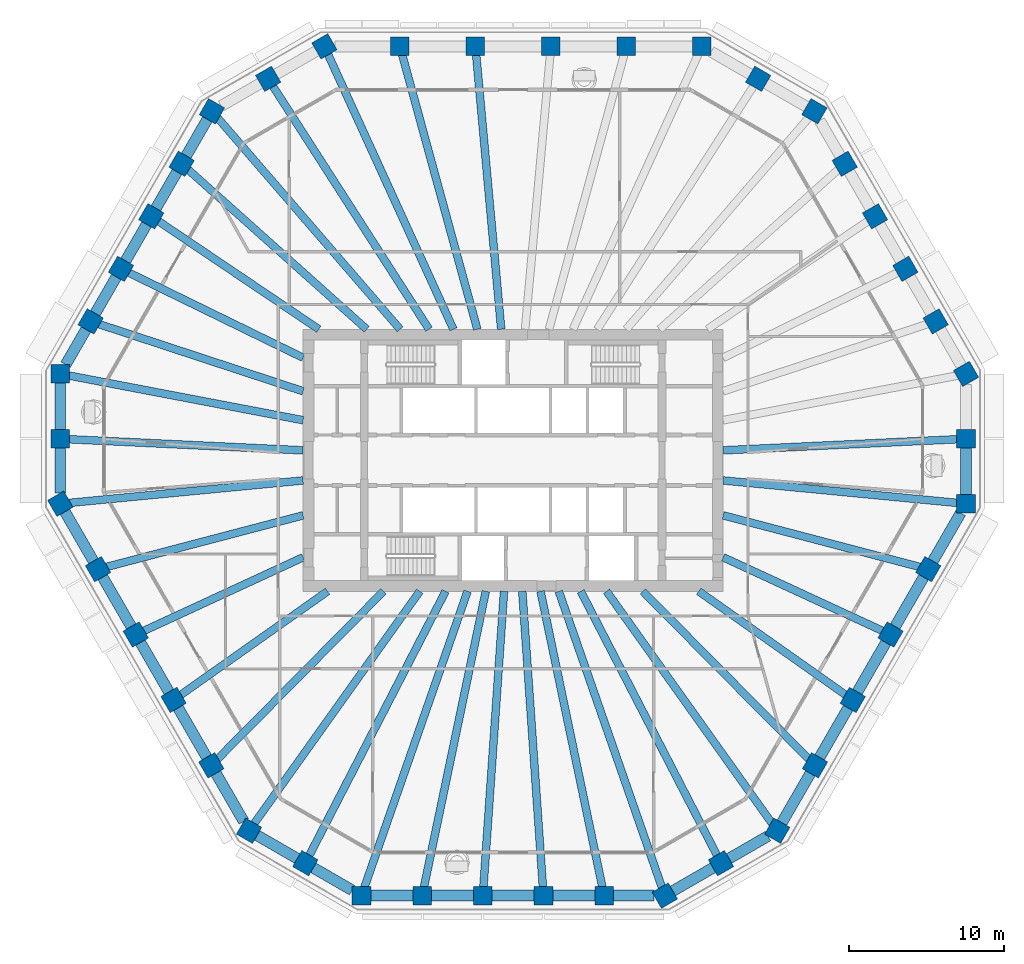
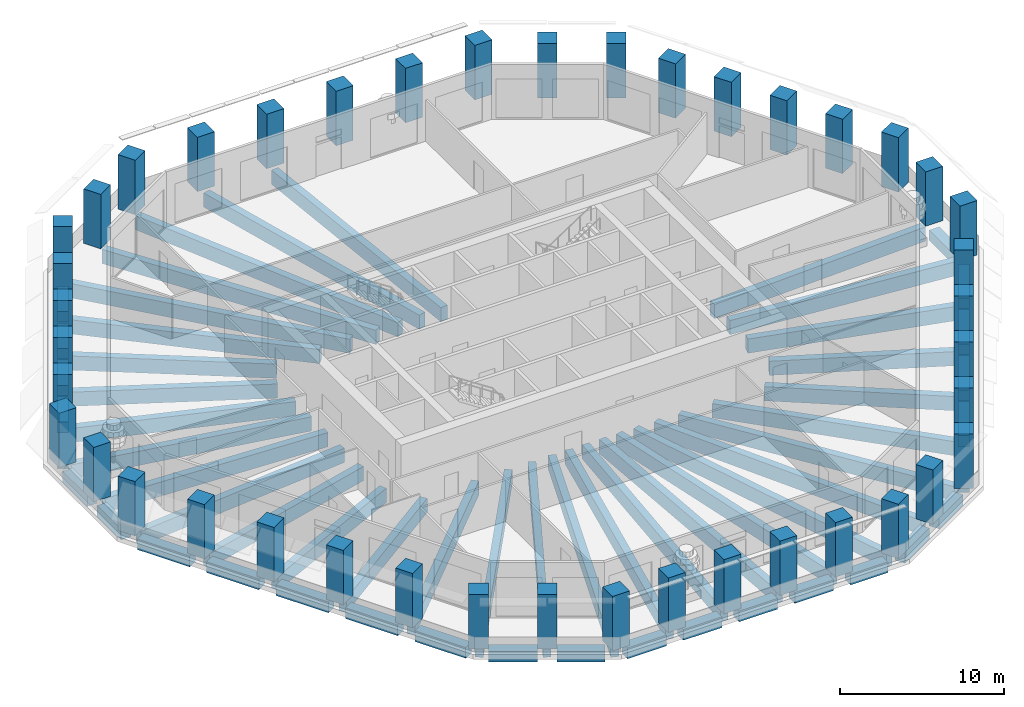
# One storey, part 1 of 12: 59 beams, 42 columns.
"""IFC4 building model written with IfcOpenShell, lengths in metres."""

import ifcopenshell
import ifcopenshell.guid

model = None  # the IFC model being written
_history = None  # IfcOwnerHistory: only IFC2X3 demands one
_inside = {}  # id of a spatial element -> (the spatial element, [elements in it])
_under = {}  # id of a project, library or spatial element -> (it, [spatial elements below it])
_declared = {}  # id of a project -> (the project, [libraries it declares])
_typed = {}  # id of a type object -> (the type object, [elements of that type])
_made_of = {}  # id of a material, layer set ... -> (it, [elements and type objects made of it])


def new_model(schema):
    """Start an empty IFC model of exactly this schema.

    Asked for "IFC4X3", IfcOpenShell would pick the latest addendum, in which some entities
    have other attributes; the version numbers below select the first issue.
    IFC2X3 requires an IfcOwnerHistory on every rooted entity: one is made here for all.
    """
    global model, _history
    if schema == "IFC4X3":
        model = ifcopenshell.file(schema_version=(4, 3, 0, 0))
    else:
        model = ifcopenshell.file(schema=schema)
    _inside.clear()
    _under.clear()
    _declared.clear()
    _typed.clear()
    _made_of.clear()
    _history = None
    if model.schema == "IFC2X3":
        org = make("IfcOrganization", Name="unknown")
        user = make(
            "IfcPersonAndOrganization",
            ThePerson=make("IfcPerson", FamilyName="unknown"),
            TheOrganization=org,
        )
        app = make(
            "IfcApplication",
            ApplicationDeveloper=org,
            Version="unknown",
            ApplicationFullName="unknown",
            ApplicationIdentifier="unknown",
        )
        _history = make(
            "IfcOwnerHistory",
            OwningUser=user,
            OwningApplication=app,
            ChangeAction="ADDED",
            CreationDate=0,
        )
    return model


def make(cls, **values):
    """One entity of the class cls with the attributes given. An attribute that is None is left unset."""
    return model.create_entity(
        cls, **{name: value for name, value in values.items() if value is not None}
    )


def rooted(cls, **values):
    """An entity with a GlobalId (a new one), such as an element, a storey or a relation."""
    return make(cls, GlobalId=ifcopenshell.guid.new(), OwnerHistory=_history, **values)


def si_unit(unit_type, name, prefix=None):
    """IfcSIUnit, for example si_unit("LENGTHUNIT", "METRE", prefix="MILLI")."""
    return make("IfcSIUnit", UnitType=unit_type, Prefix=prefix, Name=name)


def assignment(units):
    """IfcUnitAssignment: the units of a project."""
    return None if units is None else make("IfcUnitAssignment", Units=units)


def point(xyz):
    """IfcCartesianPoint."""
    return None if xyz is None else make("IfcCartesianPoint", Coordinates=xyz)


def direction(xyz):
    """IfcDirection."""
    return None if xyz is None else make("IfcDirection", DirectionRatios=xyz)


def frame(location, z_axis=None, x_axis=None):
    """IfcAxis2Placement3D, a coordinate frame: its origin and axes. An axis left out is left unset."""
    return make(
        "IfcAxis2Placement3D",
        Location=point(location),
        Axis=direction(z_axis),
        RefDirection=direction(x_axis),
    )


def frame_2d(location, x_axis=None):
    """IfcAxis2Placement2D, a coordinate frame in the plane: its origin and x axis."""
    return make(
        "IfcAxis2Placement2D", Location=point(location), RefDirection=direction(x_axis)
    )


def origin():
    """The frame at (0, 0, 0) with its axes left unset."""
    return frame((0.0, 0.0, 0.0))


def origin_2d():
    """The frame at (0, 0) in the plane with its x axis left unset."""
    return frame_2d((0.0, 0.0))


def place(relative_to, where):
    """IfcLocalPlacement: puts the frame where relative to a parent placement (None: the world)."""
    return make(
        "IfcLocalPlacement", PlacementRelTo=relative_to, RelativePlacement=where
    )


def context(
    kind, dimensions, precision=None, world=None, true_north=None, identifier=None
):
    """IfcGeometricRepresentationContext, for example the 3D "Model" context."""
    return make(
        "IfcGeometricRepresentationContext",
        ContextIdentifier=identifier,
        ContextType=kind,
        CoordinateSpaceDimension=dimensions,
        Precision=precision,
        WorldCoordinateSystem=world,
        TrueNorth=true_north,
    )


def subcontext(parent, identifier, kind, view, scale=None):
    """IfcGeometricRepresentationSubContext, for example "Body" below "Model"."""
    return make(
        "IfcGeometricRepresentationSubContext",
        ContextIdentifier=identifier,
        ContextType=kind,
        ParentContext=parent,
        TargetScale=scale,
        TargetView=view,
    )


def project(units=None, contexts=None):
    """IfcProject with its units and contexts."""
    return rooted(
        "IfcProject",
        Name="project",
        RepresentationContexts=contexts,
        UnitsInContext=assignment(units),
    )


def spatial(cls, under=None, at=None, **own):
    """A site, building, storey or space (cls), placed at a placement, below another one or the project."""
    s = rooted(cls, ObjectPlacement=at, **own)
    if under is not None:
        _under.setdefault(under.id(), (under, []))[1].append(s)
    return s


def profile(cls, at=None, kind="AREA", **sizes):
    """A parametric profile (cls). Its sizes go by their IFC names, for example OverallWidth=200.0."""
    return make(cls, ProfileType=kind, Position=at, **sizes)


def rectangle(**sizes):
    """IfcRectangleProfileDef."""
    return profile("IfcRectangleProfileDef", **sizes)


def extrude(swept, where, along, depth):
    """IfcExtrudedAreaSolid: the profile swept, set in the frame where, extruded along a direction by depth."""
    return make(
        "IfcExtrudedAreaSolid",
        SweptArea=swept,
        Position=where,
        ExtrudedDirection=direction(along),
        Depth=depth,
    )


def shape(context_of_items, identifier, shape_type, items):
    """IfcShapeRepresentation: the items that make up one representation, for example the "Body"."""
    return make(
        "IfcShapeRepresentation",
        ContextOfItems=context_of_items,
        RepresentationIdentifier=identifier,
        RepresentationType=shape_type,
        Items=items,
    )


def material(Name=None, Category=None):
    """IfcMaterial."""
    return make("IfcMaterial", Name=Name, Category=Category)


def material_profile(
    of_material, cross_section, Name=None, Category=None, Priority=None
):
    """IfcMaterialProfile: a cross section and its material."""
    return make(
        "IfcMaterialProfile",
        Name=Name,
        Material=of_material,
        Profile=cross_section,
        Priority=Priority,
        Category=Category,
    )


def profile_set(profiles, Name=None, composite=None):
    """IfcMaterialProfileSet."""
    return make(
        "IfcMaterialProfileSet",
        Name=Name,
        MaterialProfiles=profiles,
        CompositeProfile=composite,
    )


def made_of(thing, what):
    """Note that an element or type object is made of a material, layer set ...; save() writes the relation."""
    if what is not None:
        _made_of.setdefault(what.id(), (what, []))[1].append(thing)
    return thing


def type_object(cls, material=None, **own):
    """A type object (cls), such as IfcWallType, which elements share."""
    return made_of(rooted(cls, **own), material)


def element(
    cls,
    number,
    at=None,
    inside=None,
    cuts=None,
    type_object=None,
    material=None,
    context=None,
    identifier="Body",
    shape_type=None,
    held_by="IfcProductDefinitionShape",
    body=None,
    shapes=None,
    **own,
):
    """One element of the class cls, such as IfcWall. Its Tag is "e" and its number.

    at: its placement. inside: the storey or other place that contains it. cuts: it is an
    opening in that element (IfcRelVoidsElement). A single representation is given by context,
    identifier, shape_type and body (its items); several are given by shapes. held_by: the class
    of the entity that holds the representations. save() writes the other relations.
    """
    e = rooted(cls, Tag="e%d" % number, ObjectPlacement=at, **own)
    if body is not None:
        shapes = [shape(context, identifier, shape_type, body)]
    if shapes is not None:
        e.Representation = make(held_by, Representations=shapes)
    if inside is not None:
        _inside.setdefault(inside.id(), (inside, []))[1].append(e)
    if cuts is not None:
        rooted(
            "IfcRelVoidsElement", RelatingBuildingElement=cuts, RelatedOpeningElement=e
        )
    if type_object is not None:
        _typed.setdefault(type_object.id(), (type_object, []))[1].append(e)
    return made_of(e, material)


def aggregate(whole, parts):
    """IfcRelAggregates: a whole, such as a stair, and the parts it consists of."""
    return rooted("IfcRelAggregates", RelatingObject=whole, RelatedObjects=parts)


def save(model, path):
    """Write the relations noted so far, then the file.

    IfcRelAggregates (storeys below a building ...), IfcRelContainedInSpatialStructure (elements
    in a storey), IfcRelDefinesByType, IfcRelAssociatesMaterial and IfcRelDeclares: one each for
    every whole, place, type object, material and project.
    """
    for whole, parts in _under.values():
        aggregate(whole, parts)
    for where, things in _inside.values():
        rooted(
            "IfcRelContainedInSpatialStructure",
            RelatedElements=things,
            RelatingStructure=where,
        )
    for kind, things in _typed.values():
        rooted("IfcRelDefinesByType", RelatedObjects=things, RelatingType=kind)
    for what, things in _made_of.values():
        rooted("IfcRelAssociatesMaterial", RelatedObjects=things, RelatingMaterial=what)
    for by, libraries in _declared.values():
        rooted("IfcRelDeclares", RelatingContext=by, RelatedDefinitions=libraries)
    model.write(path)


model = new_model("IFC4")

# Units and contexts
model_context = context("Model", 3, precision=1e-05, world=origin(), true_north=direction((0.0, 1.0)))
body_context = subcontext(model_context, "Body", "Model", "MODEL_VIEW")
ifc_project = project(units=[si_unit("LENGTHUNIT", "METRE"), si_unit("AREAUNIT", "SQUARE_METRE"), si_unit("VOLUMEUNIT", "CUBIC_METRE"), si_unit("PLANEANGLEUNIT", "RADIAN"), si_unit("MASSUNIT", "GRAM", prefix="KILO")], contexts=[model_context])

# Site, building, storey
site_placement = place(None, origin())
site = spatial("IfcSite", under=ifc_project, at=site_placement, CompositionType="ELEMENT")
building_placement = place(site_placement, origin())
building = spatial("IfcBuilding", under=site, at=building_placement, Name="Frailejon Research Tower", CompositionType="ELEMENT")
storey_placement = place(building_placement, frame((0.0, 0.0, 193.60009765625)))
storey = spatial("IfcBuildingStorey", under=building, at=storey_placement, Name="L42", CompositionType="ELEMENT", Elevation=193.60009765625)

# Columns
ifc_material_1 = material(Name="Concrete C60/75", Category="concrete")
ifc_material_profile_1 = material_profile(ifc_material_1, rectangle(XDim=1.199951171875, YDim=1.199951171875, at=origin_2d()), Name="Column 1200")
ifc_profile_set_1 = profile_set([ifc_material_profile_1], Name="Concrete C60/75")
column_type = type_object("IfcColumnType", Name="Column 1200", PredefinedType="COLUMN", material=ifc_profile_set_1)
for number, where, z_axis, x_axis, name in (
    (1, (29.211181640625, -2.8046875, 0.0), (0.0, 0.0, 1.0), (0.0, 1.0, 0.0), "Column C01"),
    (2, (29.211181640625, 1.3828125, 0.0), (0.0, 0.0, 1.0), (0.0, 1.0, 0.0), "Column C02"),
    (3, (29.211181640625, 5.5703125, 0.0), (0.0, 0.0, 1.0), (-0.5, 0.866025403784, 0.0), "Column C03"),
    (4, (27.2548828125, 8.958740234375, 0.0), (0.0, 0.0, 1.0), (-0.5, 0.866025403784, 0.0), "Column C04"),
    (5, (25.298583984375, 12.34716796875, 0.0), (0.0, 0.0, 1.0), (-0.5, 0.866025403784, 0.0), "Column C05"),
    (6, (23.34228515625, 15.735595703125, 0.0), (0.0, 0.0, 1.0), (-0.5, 0.866025403784, 0.0), "Column C06"),
    (7, (21.385986328125, 19.1240234375, 0.0), (0.0, 0.0, 1.0), (-0.5, 0.866025403784, 0.0), "Column C07"),
    (8, (19.4296875, 22.512451171875, 0.0), (0.0, 0.0, 1.0), (-0.866025403784, 0.5, 0.0), "Column C08"),
    (9, (15.802978515625, 24.606201171875, 0.0), (0.0, 0.0, 1.0), (-0.866025403784, 0.5, 0.0), "Column C09"),
    (10, (12.176513671875, 26.699951171875, 0.0), (0.0, 0.0, 1.0), (-1.0, 0.0, 0.0), "Column C10"),
    (11, (7.305908203125, 26.699951171875, 0.0), (0.0, 0.0, 1.0), (-1.0, 0.0, 0.0), "Column C11"),
):
    element("IfcColumn", number, at=place(storey_placement, frame(where, z_axis=z_axis, x_axis=x_axis)), inside=storey, type_object=column_type, Name=name, PredefinedType="COLUMN", context=body_context, shape_type="SweptSolid", body=[
        extrude(rectangle(XDim=1.199951171875, YDim=1.199951171875, at=origin_2d()), origin(), (0.0, 0.0, 1.0), 4.039794921875),
    ])
for number, where, z_axis, x_axis, name in (
    (12, (2.435302734375, 26.699951171875, 0.0), (0.0, 0.0, 1.0), (-1.0, 0.0, 0.0), "Column C12"),
    (13, (-2.435302734375, 26.699951171875, 0.0), (0.0, 0.0, 1.0), (-1.0, 0.0, 0.0), "Column C13"),
):
    element("IfcColumn", number, at=place(storey_placement, frame(where, z_axis=z_axis, x_axis=x_axis)), inside=storey, type_object=column_type, Name=name, PredefinedType="COLUMN", context=body_context, shape_type="SweptSolid", body=[
        extrude(rectangle(XDim=1.199951171875, YDim=1.199951171875, at=origin_2d()), origin(), (0.0, 0.0, 1.0), 4.0498046875),
    ])
for number, where, z_axis, x_axis, name in (
    (14, (-7.305908203125, 26.699951171875, 0.0), (0.0, 0.0, 1.0), (-1.0, 0.0, 0.0), "Column C14"),
    (15, (-12.176513671875, 26.699951171875, 0.0), (0.0, 0.0, 1.0), (-0.866025403784, -0.5, 0.0), "Column C15"),
    (16, (-15.802978515625, 24.606201171875, 0.0), (0.0, 0.0, 1.0), (-0.866025403784, -0.5, 0.0), "Column C16"),
    (17, (-19.4296875, 22.512451171875, 0.0), (0.0, 0.0, 1.0), (-0.5, -0.866025403784, 0.0), "Column C17"),
    (18, (-21.385986328125, 19.1240234375, 0.0), (0.0, 0.0, 1.0), (-0.5, -0.866025403784, 0.0), "Column C18"),
    (19, (-23.34228515625, 15.735595703125, 0.0), (0.0, 0.0, 1.0), (-0.5, -0.866025403784, 0.0), "Column C19"),
    (20, (-25.298583984375, 12.34716796875, 0.0), (0.0, 0.0, 1.0), (-0.5, -0.866025403784, 0.0), "Column C20"),
    (21, (-27.2548828125, 8.958740234375, 0.0), (0.0, 0.0, 1.0), (-0.5, -0.866025403784, 0.0), "Column C21"),
    (22, (-29.211181640625, 5.5703125, 0.0), (0.0, 0.0, 1.0), (0.0, -1.0, 0.0), "Column C22"),
    (23, (-29.211181640625, 1.3828125, 0.0), (0.0, 0.0, 1.0), (0.0, -1.0, 0.0), "Column C23"),
    (24, (-29.211181640625, -2.8046875, 0.0), (0.0, 0.0, 1.0), (0.5, -0.866025403784, 0.0), "Column C24"),
    (25, (-26.77587890625, -7.02294921875, 0.0), (0.0, 0.0, 1.0), (0.5, -0.866025403784, 0.0), "Column C25"),
):
    element("IfcColumn", number, at=place(storey_placement, frame(where, z_axis=z_axis, x_axis=x_axis)), inside=storey, type_object=column_type, Name=name, PredefinedType="COLUMN", context=body_context, shape_type="SweptSolid", body=[
        extrude(rectangle(XDim=1.199951171875, YDim=1.199951171875, at=origin_2d()), origin(), (0.0, 0.0, 1.0), 4.039794921875),
    ])
for number, where, z_axis, x_axis, name in (
    (26, (-24.340576171875, -11.240966796875, 0.0), (0.0, 0.0, 1.0), (0.5, -0.866025403784, 0.0), "Column C26"),
    (27, (-21.9052734375, -15.458984375, 0.0), (0.0, 0.0, 1.0), (0.5, -0.866025403784, 0.0), "Column C27"),
):
    element("IfcColumn", number, at=place(storey_placement, frame(where, z_axis=z_axis, x_axis=x_axis)), inside=storey, type_object=column_type, Name=name, PredefinedType="COLUMN", context=body_context, shape_type="SweptSolid", body=[
        extrude(rectangle(XDim=1.199951171875, YDim=1.199951171875, at=origin_2d()), origin(), (0.0, 0.0, 1.0), 4.0498046875),
    ])
for number, where, z_axis, x_axis, name in (
    (28, (-19.469970703125, -19.677001953125, 0.0), (0.0, 0.0, 1.0), (0.5, -0.866025403784, 0.0), "Column C28"),
    (29, (-17.03466796875, -23.895263671875, 0.0), (0.0, 0.0, 1.0), (0.866025403784, -0.5, 0.0), "Column C29"),
    (30, (-13.408203125, -25.989013671875, 0.0), (0.0, 0.0, 1.0), (0.866025403784, -0.5, 0.0), "Column C30"),
    (31, (-9.781494140625, -28.082763671875, 0.0), (0.0, 0.0, 1.0), (1.0, 0.0, 0.0), "Column C31"),
    (32, (-5.868896484375, -28.082763671875, 0.0), (0.0, 0.0, 1.0), (1.0, 0.0, 0.0), "Column C32"),
    (33, (-1.956298828125, -28.082763671875, 0.0), (0.0, 0.0, 1.0), (1.0, 0.0, 0.0), "Column C33"),
    (34, (1.956298828125, -28.082763671875, 0.0), (0.0, 0.0, 1.0), (1.0, 0.0, 0.0), "Column C34"),
    (35, (5.868896484375, -28.082763671875, 0.0), (0.0, 0.0, 1.0), (1.0, 0.0, 0.0), "Column C35"),
    (36, (9.781494140625, -28.082763671875, 0.0), (0.0, 0.0, 1.0), (0.866025403784, 0.5, 0.0), "Column C36"),
    (37, (13.408203125, -25.989013671875, 0.0), (0.0, 0.0, 1.0), (0.866025403784, 0.5, 0.0), "Column C37"),
    (38, (17.03466796875, -23.895263671875, 0.0), (0.0, 0.0, 1.0), (0.5, 0.866025403784, 0.0), "Column C38"),
    (39, (19.469970703125, -19.677001953125, 0.0), (0.0, 0.0, 1.0), (0.5, 0.866025403784, 0.0), "Column C39"),
):
    element("IfcColumn", number, at=place(storey_placement, frame(where, z_axis=z_axis, x_axis=x_axis)), inside=storey, type_object=column_type, Name=name, PredefinedType="COLUMN", context=body_context, shape_type="SweptSolid", body=[
        extrude(rectangle(XDim=1.199951171875, YDim=1.199951171875, at=origin_2d()), origin(), (0.0, 0.0, 1.0), 4.039794921875),
    ])
for number, where, z_axis, x_axis, name in (
    (40, (21.9052734375, -15.458984375, 0.0), (0.0, 0.0, 1.0), (0.5, 0.866025403784, 0.0), "Column C40"),
    (41, (24.340576171875, -11.240966796875, 0.0), (0.0, 0.0, 1.0), (0.5, 0.866025403784, 0.0), "Column C41"),
):
    element("IfcColumn", number, at=place(storey_placement, frame(where, z_axis=z_axis, x_axis=x_axis)), inside=storey, type_object=column_type, Name=name, PredefinedType="COLUMN", context=body_context, shape_type="SweptSolid", body=[
        extrude(rectangle(XDim=1.199951171875, YDim=1.199951171875, at=origin_2d()), origin(), (0.0, 0.0, 1.0), 4.0498046875),
    ])
column_placement = place(storey_placement, frame((26.77587890625, -7.02294921875, 0.0), z_axis=(0.0, 0.0, 1.0), x_axis=(0.5, 0.866025403784, 0.0)))
element("IfcColumn", 42, at=column_placement, inside=storey, type_object=column_type, Name="Column C42", PredefinedType="COLUMN", context=body_context, shape_type="SweptSolid", body=[
    extrude(rectangle(XDim=1.199951171875, YDim=1.199951171875, at=origin_2d()), origin(), (0.0, 0.0, 1.0), 4.039794921875),
])

# Beams
ifc_material_2 = material(Name="Concrete C60/75", Category="concrete")
ifc_material_profile_2 = material_profile(ifc_material_2, rectangle(XDim=0.5, YDim=1.050048828125, at=origin_2d()), Name="Girder 500x1050")
ifc_profile_set_2 = profile_set([ifc_material_profile_2], Name="Concrete C60/75")
beam_type_1 = type_object("IfcBeamType", Name="Girder 500x1050", PredefinedType="BEAM", material=ifc_profile_set_2)
beam_1_placement = place(storey_placement, frame((28.760498046875, -2.761474609375, -0.8251953125), z_axis=(-0.995422075733, 0.095576624459, 0.0), x_axis=(-0.095576624459, -0.995422075733, 0.0)))
element("IfcBeam", 43, at=beam_1_placement, inside=storey, type_object=beam_type_1, Name="Girder 500x1050", PredefinedType="BEAM", context=body_context, shape_type="SweptSolid", body=[
    extrude(rectangle(XDim=0.5, YDim=1.050048828125, at=origin_2d()), origin(), (0.0, 0.0, 1.0), 15.280517578125),
])
beam_2_placement = place(storey_placement, frame((28.760986328125, 1.361572265625, -0.8251953125), z_axis=(-0.998880941735, -0.047295499135, 0.0), x_axis=(0.047295499135, -0.998880941735, 0.0)))
element("IfcBeam", 44, at=beam_2_placement, inside=storey, type_object=beam_type_1, Name="Girder 500x1050", PredefinedType="BEAM", context=body_context, shape_type="SweptSolid", body=[
    extrude(rectangle(XDim=0.5, YDim=1.050048828125, at=origin_2d()), origin(), (0.0, 0.0, 1.0), 15.22802734375),
])
beam_3_placement = place(storey_placement, frame((-2.394287109375, 26.24951171875, -0.8251953125), z_axis=(0.090835017193, -0.99586595466, 0.0), x_axis=(0.99586595466, 0.090835017193, 0.0)))
element("IfcBeam", 45, at=beam_3_placement, inside=storey, type_object=beam_type_1, Name="Girder 500x1050", PredefinedType="BEAM", context=body_context, shape_type="SweptSolid", body=[
    extrude(rectangle(XDim=0.5, YDim=1.050048828125, at=origin_2d()), origin(), (0.0, 0.0, 1.0), 17.87353515625),
])
beam_4_placement = place(storey_placement, frame((-7.181396484375, 26.24462890625, -0.8251953125), z_axis=(0.26392689173, -0.964542687402, 0.0), x_axis=(0.964542687402, 0.26392689173, 0.0)))
element("IfcBeam", 46, at=beam_4_placement, inside=storey, type_object=beam_type_1, Name="Girder 500x1050", PredefinedType="BEAM", context=body_context, shape_type="SweptSolid", body=[
    extrude(rectangle(XDim=0.5, YDim=1.050048828125, at=origin_2d()), origin(), (0.0, 0.0, 1.0), 18.44873046875),
])
beam_5_placement = place(storey_placement, frame((-11.988525390625, 26.2880859375, -0.8251953125), z_axis=(0.414934108242, -0.909851463602, 0.0), x_axis=(0.909851463602, 0.414934108242, 0.0)))
element("IfcBeam", 47, at=beam_5_placement, inside=storey, type_object=beam_type_1, Name="Girder 500x1050", PredefinedType="BEAM", context=body_context, shape_type="SweptSolid", body=[
    extrude(rectangle(XDim=0.5, YDim=1.050048828125, at=origin_2d()), origin(), (0.0, 0.0, 1.0), 19.60546875),
])
beam_6_placement = place(storey_placement, frame((-15.5595703125, 24.22705078125, -0.8251953125), z_axis=(0.540385728464, -0.841417413935, 0.0), x_axis=(0.841417413935, 0.540385728464, 0.0)))
element("IfcBeam", 48, at=beam_6_placement, inside=storey, type_object=beam_type_1, Name="Girder 500x1050", PredefinedType="BEAM", context=body_context, shape_type="SweptSolid", body=[
    extrude(rectangle(XDim=0.5, YDim=1.050048828125, at=origin_2d()), origin(), (0.0, 0.0, 1.0), 18.750732421875),
])
beam_7_placement = place(storey_placement, frame((-19.112548828125, 22.14501953125, -0.8251953125), z_axis=(0.653367200863, -0.757041148708, 0.0), x_axis=(0.757041148708, 0.653367200863, 0.0)))
element("IfcBeam", 49, at=beam_7_placement, inside=storey, type_object=beam_type_1, Name="Girder 500x1050", PredefinedType="BEAM", context=body_context, shape_type="SweptSolid", body=[
    extrude(rectangle(XDim=0.5, YDim=1.050048828125, at=origin_2d()), origin(), (0.0, 0.0, 1.0), 18.09033203125),
])
beam_8_placement = place(storey_placement, frame((-21.040771484375, 18.8154296875, -0.8251953125), z_axis=(0.745423192946, -0.666591526663, 0.0), x_axis=(0.666591526663, 0.745423192946, 0.0)))
element("IfcBeam", 50, at=beam_8_placement, inside=storey, type_object=beam_type_1, Name="Girder 500x1050", PredefinedType="BEAM", context=body_context, shape_type="SweptSolid", body=[
    extrude(rectangle(XDim=0.5, YDim=1.050048828125, at=origin_2d()), origin(), (0.0, 0.0, 1.0), 15.550048828125),
])
beam_9_placement = place(storey_placement, frame((-22.968017578125, 15.483154296875, -0.8251953125), z_axis=(0.829191550788, -0.55896455353, 0.0), x_axis=(0.55896455353, 0.829191550788, 0.0)))
element("IfcBeam", 51, at=beam_9_placement, inside=storey, type_object=beam_type_1, Name="Girder 500x1050", PredefinedType="BEAM", context=body_context, shape_type="SweptSolid", body=[
    extrude(rectangle(XDim=0.5, YDim=1.050048828125, at=origin_2d()), origin(), (0.0, 0.0, 1.0), 12.58251953125),
])
beam_10_placement = place(storey_placement, frame((-24.892822265625, 12.149169921875, -0.8251953125), z_axis=(0.898680124008, -0.438604645111, 0.0), x_axis=(0.438604645111, 0.898680124008, 0.0)))
element("IfcBeam", 52, at=beam_10_placement, inside=storey, type_object=beam_type_1, Name="Girder 500x1050", PredefinedType="BEAM", context=body_context, shape_type="SweptSolid", body=[
    extrude(rectangle(XDim=0.5, YDim=1.050048828125, at=origin_2d()), origin(), (0.0, 0.0, 1.0), 12.62158203125),
])
beam_11_placement = place(storey_placement, frame((-26.81494140625, 8.814208984375, -0.8251953125), z_axis=(0.949991667334, -0.312275250374, 0.0), x_axis=(0.312275250374, 0.949991667334, 0.0)))
element("IfcBeam", 53, at=beam_11_placement, inside=storey, type_object=beam_type_1, Name="Girder 500x1050", PredefinedType="BEAM", context=body_context, shape_type="SweptSolid", body=[
    extrude(rectangle(XDim=0.5, YDim=1.050048828125, at=origin_2d()), origin(), (0.0, 0.0, 1.0), 13.963134765625),
])
beam_12_placement = place(storey_placement, frame((-28.75830078125, 5.48388671875, -0.8251953125), z_axis=(0.982301833561, -0.187304852536, 0.0), x_axis=(0.187304852536, 0.982301833561, 0.0)))
element("IfcBeam", 54, at=beam_12_placement, inside=storey, type_object=beam_type_1, Name="Girder 500x1050", PredefinedType="BEAM", context=body_context, shape_type="SweptSolid", body=[
    extrude(rectangle(XDim=0.5, YDim=1.050048828125, at=origin_2d()), origin(), (0.0, 0.0, 1.0), 15.482177734375),
])
beam_13_placement = place(storey_placement, frame((-28.760986328125, 1.361572265625, -0.8251953125), z_axis=(0.998880941735, -0.047295499135, 0.0), x_axis=(0.047295499135, 0.998880941735, 0.0)))
element("IfcBeam", 55, at=beam_13_placement, inside=storey, type_object=beam_type_1, Name="Girder 500x1050", PredefinedType="BEAM", context=body_context, shape_type="SweptSolid", body=[
    extrude(rectangle(XDim=0.5, YDim=1.050048828125, at=origin_2d()), origin(), (0.0, 0.0, 1.0), 15.22802734375),
])
beam_14_placement = place(storey_placement, frame((-28.7041015625, -2.756103515625, -0.8251953125), z_axis=(0.995421801499, 0.095579480545, 0.0), x_axis=(-0.095579480545, 0.995421801499, 0.0)))
element("IfcBeam", 56, at=beam_14_placement, inside=storey, type_object=beam_type_1, Name="Girder 500x1050", PredefinedType="BEAM", context=body_context, shape_type="SweptSolid", body=[
    extrude(rectangle(XDim=0.5, YDim=1.050048828125, at=origin_2d()), origin(), (0.0, 0.0, 1.0), 15.2236328125),
])
beam_15_placement = place(storey_placement, frame((-26.319091796875, -6.903076171875, -0.8251953125), z_axis=(0.967282154097, 0.253703043668, 0.0), x_axis=(-0.253703043668, 0.967282154097, 0.0)))
element("IfcBeam", 57, at=beam_15_placement, inside=storey, type_object=beam_type_1, Name="Girder 500x1050", PredefinedType="BEAM", context=body_context, shape_type="SweptSolid", body=[
    extrude(rectangle(XDim=0.5, YDim=1.050048828125, at=origin_2d()), origin(), (0.0, 0.0, 1.0), 13.200927734375),
])
beam_16_placement = place(storey_placement, frame((-23.9296875, -11.05126953125, -0.8251953125), z_axis=(0.90786436201, 0.419263998206, 0.0), x_axis=(-0.419263998206, 0.90786436201, 0.0)))
element("IfcBeam", 58, at=beam_16_placement, inside=storey, type_object=beam_type_1, Name="Girder 500x1050", PredefinedType="BEAM", context=body_context, shape_type="SweptSolid", body=[
    extrude(rectangle(XDim=0.5, YDim=1.050048828125, at=origin_2d()), origin(), (0.0, 0.0, 1.0), 11.43310546875),
])
beam_17_placement = place(storey_placement, frame((-21.535400390625, -15.197998046875, -0.8251953125), z_axis=(0.817032608379, 0.576591464423, 0.0), x_axis=(-0.576591464423, 0.817032608379, 0.0)))
element("IfcBeam", 59, at=beam_17_placement, inside=storey, type_object=beam_type_1, Name="Girder 500x1050", PredefinedType="BEAM", context=body_context, shape_type="SweptSolid", body=[
    extrude(rectangle(XDim=0.5, YDim=1.050048828125, at=origin_2d()), origin(), (0.0, 0.0, 1.0), 11.703369140625),
])
beam_18_placement = place(storey_placement, frame((-19.137939453125, -19.341552734375, -0.8251953125), z_axis=(0.703352409906, 0.7108413237, 0.0), x_axis=(-0.7108413237, 0.703352409906, 0.0)))
element("IfcBeam", 60, at=beam_18_placement, inside=storey, type_object=beam_type_1, Name="Girder 500x1050", PredefinedType="BEAM", context=body_context, shape_type="SweptSolid", body=[
    extrude(rectangle(XDim=0.5, YDim=1.050048828125, at=origin_2d()), origin(), (0.0, 0.0, 1.0), 15.322021484375),
])
beam_19_placement = place(storey_placement, frame((-16.771728515625, -23.526611328125, -0.8251953125), z_axis=(0.580478331668, 0.814275694383, 0.0), x_axis=(-0.814275694383, 0.580478331668, 0.0)))
element("IfcBeam", 61, at=beam_19_placement, inside=storey, type_object=beam_type_1, Name="Girder 500x1050", PredefinedType="BEAM", context=body_context, shape_type="SweptSolid", body=[
    extrude(rectangle(XDim=0.5, YDim=1.050048828125, at=origin_2d()), origin(), (0.0, 0.0, 1.0), 18.515380859375),
])
beam_20_placement = place(storey_placement, frame((-13.201416015625, -25.58837890625, -0.8251953125), z_axis=(0.458485544695, 0.888701865254, 0.0), x_axis=(-0.888701865254, 0.458485544695, 0.0)))
element("IfcBeam", 62, at=beam_20_placement, inside=storey, type_object=beam_type_1, Name="Girder 500x1050", PredefinedType="BEAM", context=body_context, shape_type="SweptSolid", body=[
    extrude(rectangle(XDim=0.5, YDim=1.050048828125, at=origin_2d()), origin(), (0.0, 0.0, 1.0), 19.28466796875),
])
beam_21_placement = place(storey_placement, frame((-9.621826171875, -27.62451171875, -0.8251953125), z_axis=(0.328929127062, 0.944354609969, 0.0), x_axis=(-0.944354609969, 0.328929127062, 0.0)))
element("IfcBeam", 63, at=beam_21_placement, inside=storey, type_object=beam_type_1, Name="Girder 500x1050", PredefinedType="BEAM", context=body_context, shape_type="SweptSolid", body=[
    extrude(rectangle(XDim=0.5, YDim=1.050048828125, at=origin_2d()), origin(), (0.0, 0.0, 1.0), 20.304443359375),
])
beam_22_placement = place(storey_placement, frame((-5.774169921875, -27.629638671875, -0.8251953125), z_axis=(0.204567218068, 0.978852518663, 0.0), x_axis=(-0.978852518663, 0.204567218068, 0.0)))
element("IfcBeam", 64, at=beam_22_placement, inside=storey, type_object=beam_type_1, Name="Girder 500x1050", PredefinedType="BEAM", context=body_context, shape_type="SweptSolid", body=[
    extrude(rectangle(XDim=0.5, YDim=1.050048828125, at=origin_2d()), origin(), (0.0, 0.0, 1.0), 19.593994140625),
])
for number, where, z_axis, x_axis, name in (
    (65, (-1.9248046875, -27.63232421875, -0.8251953125), (0.06948836665, 0.99758276193, 0.0), (-0.99758276193, 0.06948836665, 0.0), "Girder 500x1050"),
    (66, (1.9248046875, -27.63232421875, -0.8251953125), (-0.06948836665, 0.99758276193, 0.0), (-0.99758276193, -0.06948836665, 0.0), "Girder 500x1050"),
):
    element("IfcBeam", number, at=place(storey_placement, frame(where, z_axis=z_axis, x_axis=x_axis)), inside=storey, type_object=beam_type_1, Name=name, PredefinedType="BEAM", context=body_context, shape_type="SweptSolid", body=[
        extrude(rectangle(XDim=0.5, YDim=1.050048828125, at=origin_2d()), origin(), (0.0, 0.0, 1.0), 19.228759765625),
    ])
beam_23_placement = place(storey_placement, frame((5.774169921875, -27.629638671875, -0.8251953125), z_axis=(-0.204567218068, 0.978852518663, 0.0), x_axis=(-0.978852518663, -0.204567218068, 0.0)))
element("IfcBeam", 67, at=beam_23_placement, inside=storey, type_object=beam_type_1, Name="Girder 500x1050", PredefinedType="BEAM", context=body_context, shape_type="SweptSolid", body=[
    extrude(rectangle(XDim=0.5, YDim=1.050048828125, at=origin_2d()), origin(), (0.0, 0.0, 1.0), 19.593994140625),
])
beam_24_placement = place(storey_placement, frame((9.6298828125, -27.647705078125, -0.8251953125), z_axis=(-0.328928167992, 0.944354944023, 0.0), x_axis=(-0.944354944023, -0.328928167992, 0.0)))
element("IfcBeam", 68, at=beam_24_placement, inside=storey, type_object=beam_type_1, Name="Girder 500x1050", PredefinedType="BEAM", context=body_context, shape_type="SweptSolid", body=[
    extrude(rectangle(XDim=0.5, YDim=1.050048828125, at=origin_2d()), origin(), (0.0, 0.0, 1.0), 20.328857421875),
])
beam_25_placement = place(storey_placement, frame((13.201416015625, -25.58837890625, -0.8251953125), z_axis=(-0.458485544695, 0.888701865254, 0.0), x_axis=(-0.888701865254, -0.458485544695, 0.0)))
element("IfcBeam", 69, at=beam_25_placement, inside=storey, type_object=beam_type_1, Name="Girder 500x1050", PredefinedType="BEAM", context=body_context, shape_type="SweptSolid", body=[
    extrude(rectangle(XDim=0.5, YDim=1.050048828125, at=origin_2d()), origin(), (0.0, 0.0, 1.0), 19.28466796875),
])
beam_26_placement = place(storey_placement, frame((16.739013671875, -23.48046875, -0.8251953125), z_axis=(-0.580484766177, 0.814271107332, 0.0), x_axis=(-0.814271107332, -0.580484766177, 0.0)))
element("IfcBeam", 70, at=beam_26_placement, inside=storey, type_object=beam_type_1, Name="Girder 500x1050", PredefinedType="BEAM", context=body_context, shape_type="SweptSolid", body=[
    extrude(rectangle(XDim=0.5, YDim=1.050048828125, at=origin_2d()), origin(), (0.0, 0.0, 1.0), 18.458740234375),
])
beam_27_placement = place(storey_placement, frame((19.137939453125, -19.341552734375, -0.8251953125), z_axis=(-0.703352409906, 0.7108413237, 0.0), x_axis=(-0.7108413237, -0.703352409906, 0.0)))
element("IfcBeam", 71, at=beam_27_placement, inside=storey, type_object=beam_type_1, Name="Girder 500x1050", PredefinedType="BEAM", context=body_context, shape_type="SweptSolid", body=[
    extrude(rectangle(XDim=0.5, YDim=1.050048828125, at=origin_2d()), origin(), (0.0, 0.0, 1.0), 15.322021484375),
])
beam_28_placement = place(storey_placement, frame((21.535400390625, -15.197998046875, -0.8251953125), z_axis=(-0.817032608379, 0.576591464423, 0.0), x_axis=(-0.576591464423, -0.817032608379, 0.0)))
element("IfcBeam", 72, at=beam_28_placement, inside=storey, type_object=beam_type_1, Name="Girder 500x1050", PredefinedType="BEAM", context=body_context, shape_type="SweptSolid", body=[
    extrude(rectangle(XDim=0.5, YDim=1.050048828125, at=origin_2d()), origin(), (0.0, 0.0, 1.0), 11.703369140625),
])
beam_29_placement = place(storey_placement, frame((23.9296875, -11.05126953125, -0.8251953125), z_axis=(-0.90786436201, 0.419263998206, 0.0), x_axis=(-0.419263998206, -0.90786436201, 0.0)))
element("IfcBeam", 73, at=beam_29_placement, inside=storey, type_object=beam_type_1, Name="Girder 500x1050", PredefinedType="BEAM", context=body_context, shape_type="SweptSolid", body=[
    extrude(rectangle(XDim=0.5, YDim=1.050048828125, at=origin_2d()), origin(), (0.0, 0.0, 1.0), 11.43310546875),
])
beam_30_placement = place(storey_placement, frame((26.319091796875, -6.903076171875, -0.8251953125), z_axis=(-0.967282154097, 0.253703043668, 0.0), x_axis=(-0.253703043668, -0.967282154097, 0.0)))
element("IfcBeam", 74, at=beam_30_placement, inside=storey, type_object=beam_type_1, Name="Girder 500x1050", PredefinedType="BEAM", context=body_context, shape_type="SweptSolid", body=[
    extrude(rectangle(XDim=0.5, YDim=1.050048828125, at=origin_2d()), origin(), (0.0, 0.0, 1.0), 13.200927734375),
])
ifc_material_3 = material(Name="Concrete C60/75", Category="concrete")
ifc_material_profile_3 = material_profile(ifc_material_3, rectangle(XDim=0.699951171875, YDim=0.800048828125, at=origin_2d()), Name="Spandrel 700x800")
ifc_profile_set_3 = profile_set([ifc_material_profile_3], Name="Concrete C60/75")
beam_type_2 = type_object("IfcBeamType", Name="Spandrel 700x800", PredefinedType="BEAM", material=ifc_profile_set_3)
beam_31_placement = place(storey_placement, frame((29.211181640625, -2.204833984375, -0.75), z_axis=(0.0, 1.0, 0.0), x_axis=(-1.0, 0.0, 0.0)))
element("IfcBeam", 75, at=beam_31_placement, inside=storey, type_object=beam_type_2, Name="Spandrel 700x800", PredefinedType="BEAM", context=body_context, shape_type="SweptSolid", body=[
    extrude(rectangle(XDim=0.699951171875, YDim=0.800048828125, at=origin_2d()), origin(), (0.0, 0.0, 1.0), 2.987548828125),
])
for number, where, z_axis, x_axis, name in (
    (76, (-19.7294921875, 21.992919921875, -0.75), (-0.500010688608, -0.866019232626, 0.0), (0.866019232626, -0.500010688608, 0.0), "Spandrel 700x800"),
    (77, (-21.685791015625, 18.6044921875, -0.75), (-0.500010688608, -0.866019232626, 0.0), (0.866019232626, -0.500010688608, 0.0), "Spandrel 700x800"),
    (78, (-23.64208984375, 15.216064453125, -0.75), (-0.500010688608, -0.866019232626, 0.0), (0.866019232626, -0.500010688608, 0.0), "Spandrel 700x800"),
    (79, (-25.598388671875, 11.82763671875, -0.75), (-0.500010688608, -0.866019232626, 0.0), (0.866019232626, -0.500010688608, 0.0), "Spandrel 700x800"),
):
    element("IfcBeam", number, at=place(storey_placement, frame(where, z_axis=z_axis, x_axis=x_axis)), inside=storey, type_object=beam_type_2, Name=name, PredefinedType="BEAM", context=body_context, shape_type="SweptSolid", body=[
        extrude(rectangle(XDim=0.699951171875, YDim=0.800048828125, at=origin_2d()), origin(), (0.0, 0.0, 1.0), 2.712890625),
    ])
beam_32_placement = place(storey_placement, frame((-27.5546875, 8.439208984375, -0.75), z_axis=(-0.500047801172, -0.865997804006, 0.0), x_axis=(0.865997804006, -0.500047801172, 0.0)))
element("IfcBeam", 80, at=beam_32_placement, inside=storey, type_object=beam_type_2, Name="Spandrel 700x800", PredefinedType="BEAM", context=body_context, shape_type="SweptSolid", body=[
    extrude(rectangle(XDim=0.699951171875, YDim=0.800048828125, at=origin_2d()), origin(), (0.0, 0.0, 1.0), 2.619873046875),
])
beam_33_placement = place(storey_placement, frame((-29.211181640625, 4.97021484375, -0.75), z_axis=(0.0, -1.0, 0.0), x_axis=(1.0, 0.0, 0.0)))
element("IfcBeam", 81, at=beam_33_placement, inside=storey, type_object=beam_type_2, Name="Spandrel 700x800", PredefinedType="BEAM", context=body_context, shape_type="SweptSolid", body=[
    extrude(rectangle(XDim=0.699951171875, YDim=0.800048828125, at=origin_2d()), origin(), (0.0, 0.0, 1.0), 2.9873046875),
])
beam_34_placement = place(storey_placement, frame((-29.211181640625, 0.78271484375, -0.75), z_axis=(0.0, -1.0, 0.0), x_axis=(1.0, 0.0, 0.0)))
element("IfcBeam", 82, at=beam_34_placement, inside=storey, type_object=beam_type_2, Name="Spandrel 700x800", PredefinedType="BEAM", context=body_context, shape_type="SweptSolid", body=[
    extrude(rectangle(XDim=0.699951171875, YDim=0.800048828125, at=origin_2d()), origin(), (0.0, 0.0, 1.0), 2.894775390625),
])
for number, where, z_axis, x_axis, name in (
    (83, (-28.9111328125, -3.324462890625, -0.75), (0.50001606911, -0.866016126081, 0.0), (0.866016126081, 0.50001606911, 0.0), "Spandrel 700x800"),
    (84, (-26.475830078125, -7.54248046875, -0.75), (0.50001606911, -0.866016126081, 0.0), (0.866016126081, 0.50001606911, 0.0), "Spandrel 700x800"),
    (85, (-24.04052734375, -11.760498046875, -0.75), (0.50001606911, -0.866016126081, 0.0), (0.866016126081, 0.50001606911, 0.0), "Spandrel 700x800"),
):
    element("IfcBeam", number, at=place(storey_placement, frame(where, z_axis=z_axis, x_axis=x_axis)), inside=storey, type_object=beam_type_2, Name=name, PredefinedType="BEAM", context=body_context, shape_type="SweptSolid", body=[
        extrude(rectangle(XDim=0.699951171875, YDim=0.800048828125, at=origin_2d()), origin(), (0.0, 0.0, 1.0), 3.6708984375),
    ])
beam_35_placement = place(storey_placement, frame((-21.605224609375, -15.978515625, -0.75), z_axis=(0.4999661858, -0.866044925542, 0.0), x_axis=(0.866044925542, 0.4999661858, 0.0)))
element("IfcBeam", 86, at=beam_35_placement, inside=storey, type_object=beam_type_2, Name="Spandrel 700x800", PredefinedType="BEAM", context=body_context, shape_type="SweptSolid", body=[
    extrude(rectangle(XDim=0.699951171875, YDim=0.800048828125, at=origin_2d()), origin(), (0.0, 0.0, 1.0), 3.670654296875),
])
beam_36_placement = place(storey_placement, frame((-19.169921875, -20.19677734375, -0.75), z_axis=(0.499992207027, -0.866029903013, 0.0), x_axis=(0.866029903013, 0.499992207027, 0.0)))
element("IfcBeam", 87, at=beam_36_placement, inside=storey, type_object=beam_type_2, Name="Spandrel 700x800", PredefinedType="BEAM", context=body_context, shape_type="SweptSolid", body=[
    extrude(rectangle(XDim=0.699951171875, YDim=0.800048828125, at=origin_2d()), origin(), (0.0, 0.0, 1.0), 3.57763671875),
])
beam_37_placement = place(storey_placement, frame((-16.514892578125, -24.1953125, -0.75), z_axis=(0.86603180189, -0.499988917992, 0.0), x_axis=(0.499988917992, 0.86603180189, 0.0)))
element("IfcBeam", 88, at=beam_37_placement, inside=storey, type_object=beam_type_2, Name="Spandrel 700x800", PredefinedType="BEAM", context=body_context, shape_type="SweptSolid", body=[
    extrude(rectangle(XDim=0.699951171875, YDim=0.800048828125, at=origin_2d()), origin(), (0.0, 0.0, 1.0), 2.9873046875),
])
beam_38_placement = place(storey_placement, frame((-12.888427734375, -26.2890625, -0.75), z_axis=(0.866033897268, -0.499985288567, 0.0), x_axis=(0.499985288567, 0.866033897268, 0.0)))
element("IfcBeam", 89, at=beam_38_placement, inside=storey, type_object=beam_type_2, Name="Spandrel 700x800", PredefinedType="BEAM", context=body_context, shape_type="SweptSolid", body=[
    extrude(rectangle(XDim=0.699951171875, YDim=0.800048828125, at=origin_2d()), origin(), (0.0, 0.0, 1.0), 2.89453125),
])
for number, where, z_axis, x_axis, name in (
    (90, (-9.181396484375, -28.082763671875, -0.75), (1.0, 0.0, 0.0), (0.0, 1.0, 0.0), "Spandrel 700x800"),
    (91, (-5.268798828125, -28.082763671875, -0.75), (1.0, 0.0, 0.0), (0.0, 1.0, 0.0), "Spandrel 700x800"),
    (92, (-1.356201171875, -28.082763671875, -0.75), (1.0, 0.0, 0.0), (0.0, 1.0, 0.0), "Spandrel 700x800"),
    (93, (2.556396484375, -28.082763671875, -0.75), (1.0, 0.0, 0.0), (0.0, 1.0, 0.0), "Spandrel 700x800"),
):
    element("IfcBeam", number, at=place(storey_placement, frame(where, z_axis=z_axis, x_axis=x_axis)), inside=storey, type_object=beam_type_2, Name=name, PredefinedType="BEAM", context=body_context, shape_type="SweptSolid", body=[
        extrude(rectangle(XDim=0.699951171875, YDim=0.800048828125, at=origin_2d()), origin(), (0.0, 0.0, 1.0), 2.71240234375),
    ])
beam_39_placement = place(storey_placement, frame((6.468994140625, -28.082763671875, -0.75), z_axis=(1.0, 0.0, 0.0), x_axis=(0.0, 1.0, 0.0)))
element("IfcBeam", 94, at=beam_39_placement, inside=storey, type_object=beam_type_2, Name="Spandrel 700x800", PredefinedType="BEAM", context=body_context, shape_type="SweptSolid", body=[
    extrude(rectangle(XDim=0.699951171875, YDim=0.800048828125, at=origin_2d()), origin(), (0.0, 0.0, 1.0), 2.61962890625),
])
beam_40_placement = place(storey_placement, frame((10.301025390625, -27.78271484375, -0.75), z_axis=(0.866052229876, 0.499953532967, 0.0), x_axis=(-0.499953532967, 0.866052229876, 0.0)))
element("IfcBeam", 95, at=beam_40_placement, inside=storey, type_object=beam_type_2, Name="Spandrel 700x800", PredefinedType="BEAM", context=body_context, shape_type="SweptSolid", body=[
    extrude(rectangle(XDim=0.699951171875, YDim=0.800048828125, at=origin_2d()), origin(), (0.0, 0.0, 1.0), 2.987548828125),
])
beam_41_placement = place(storey_placement, frame((13.927734375, -25.68896484375, -0.75), z_axis=(0.866033897268, 0.499985288567, 0.0), x_axis=(-0.499985288567, 0.866033897268, 0.0)))
element("IfcBeam", 96, at=beam_41_placement, inside=storey, type_object=beam_type_2, Name="Spandrel 700x800", PredefinedType="BEAM", context=body_context, shape_type="SweptSolid", body=[
    extrude(rectangle(XDim=0.699951171875, YDim=0.800048828125, at=origin_2d()), origin(), (0.0, 0.0, 1.0), 2.89453125),
])
beam_42_placement = place(storey_placement, frame((17.334716796875, -23.37548828125, -0.75), z_axis=(0.499994986164, 0.866028298505, 0.0), x_axis=(-0.866028298505, 0.499994986164, 0.0)))
element("IfcBeam", 97, at=beam_42_placement, inside=storey, type_object=beam_type_2, Name="Spandrel 700x800", PredefinedType="BEAM", context=body_context, shape_type="SweptSolid", body=[
    extrude(rectangle(XDim=0.699951171875, YDim=0.800048828125, at=origin_2d()), origin(), (0.0, 0.0, 1.0), 3.67041015625),
])
beam_43_placement = place(storey_placement, frame((19.77001953125, -19.157470703125, -0.75), z_axis=(0.4999661858, 0.866044925542, 0.0), x_axis=(-0.866044925542, 0.4999661858, 0.0)))
element("IfcBeam", 98, at=beam_43_placement, inside=storey, type_object=beam_type_2, Name="Spandrel 700x800", PredefinedType="BEAM", context=body_context, shape_type="SweptSolid", body=[
    extrude(rectangle(XDim=0.699951171875, YDim=0.800048828125, at=origin_2d()), origin(), (0.0, 0.0, 1.0), 3.670654296875),
])
for number, where, z_axis, x_axis, name in (
    (99, (22.205078125, -14.939453125, -0.75), (0.50001606911, 0.866016126081, 0.0), (-0.866016126081, 0.50001606911, 0.0), "Spandrel 700x800"),
    (100, (24.640380859375, -10.721435546875, -0.75), (0.50001606911, 0.866016126081, 0.0), (-0.866016126081, 0.50001606911, 0.0), "Spandrel 700x800"),
):
    element("IfcBeam", number, at=place(storey_placement, frame(where, z_axis=z_axis, x_axis=x_axis)), inside=storey, type_object=beam_type_2, Name=name, PredefinedType="BEAM", context=body_context, shape_type="SweptSolid", body=[
        extrude(rectangle(XDim=0.699951171875, YDim=0.800048828125, at=origin_2d()), origin(), (0.0, 0.0, 1.0), 3.6708984375),
    ])
beam_44_placement = place(storey_placement, frame((27.07568359375, -6.50341796875, -0.75), z_axis=(0.500013836808, 0.866017414952, 0.0), x_axis=(-0.866017414952, 0.500013836808, 0.0)))
element("IfcBeam", 101, at=beam_44_placement, inside=storey, type_object=beam_type_2, Name="Spandrel 700x800", PredefinedType="BEAM", context=body_context, shape_type="SweptSolid", body=[
    extrude(rectangle(XDim=0.699951171875, YDim=0.800048828125, at=origin_2d()), origin(), (0.0, 0.0, 1.0), 3.578125),
])

save(model, "model.ifc")
